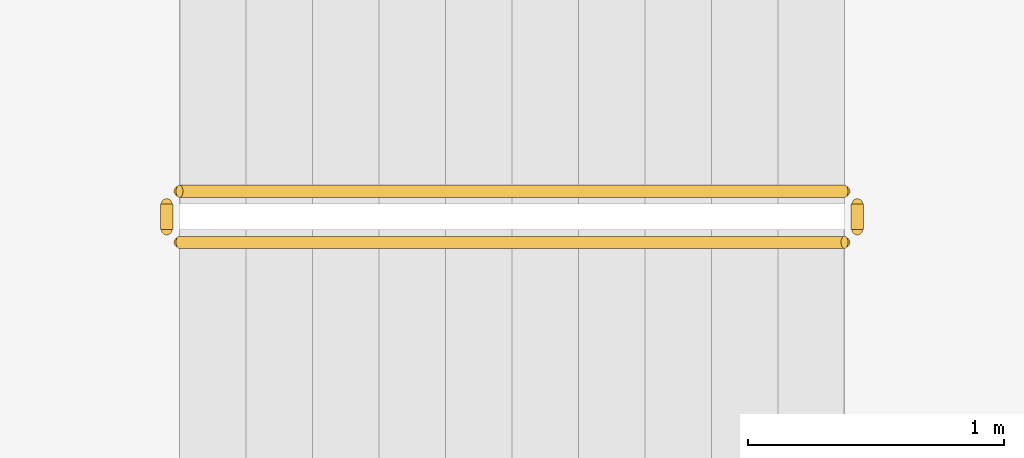
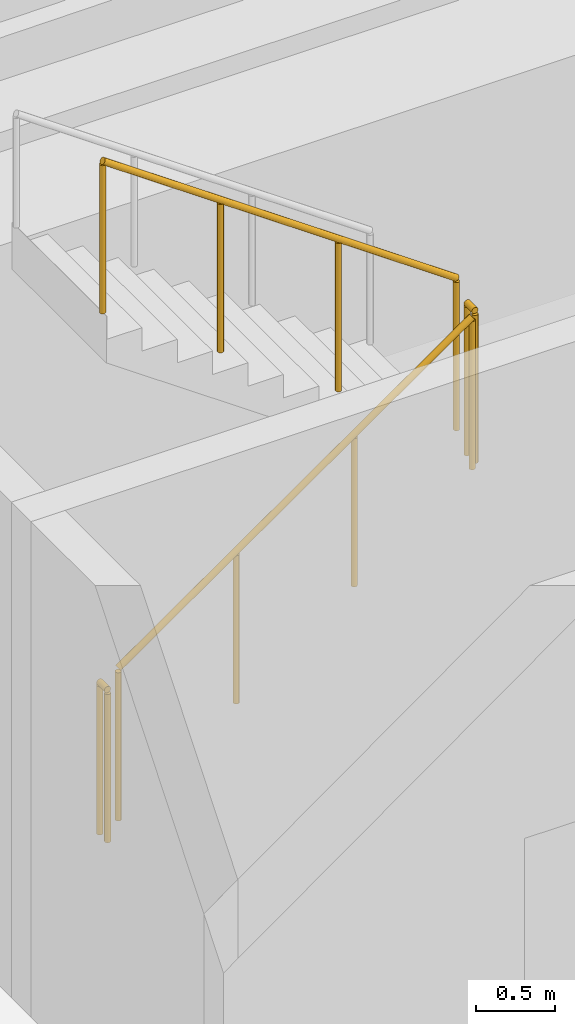
# One storey, part 19 of 23: 4 railings.
"""IFC4 building model written with IfcOpenShell, lengths in metres."""

from ifc_helpers import new_model, si_unit, direction, frame, origin, origin_2d, place, context, subcontext, project, spatial, circle, extrude, material, type_object, element, save


model = new_model("IFC4")

# Units and contexts
model_context = context("Model", 3, precision=1e-05, world=origin(), true_north=direction((0.0, 1.0)))
body_context = subcontext(model_context, "Body", "Model", "MODEL_VIEW")
ifc_project = project(units=[si_unit("LENGTHUNIT", "METRE"), si_unit("AREAUNIT", "SQUARE_METRE"), si_unit("VOLUMEUNIT", "CUBIC_METRE"), si_unit("PLANEANGLEUNIT", "RADIAN"), si_unit("MASSUNIT", "GRAM", prefix="KILO")], contexts=[model_context])

# Site, building, storey
site_placement = place(None, origin())
site = spatial("IfcSite", under=ifc_project, at=site_placement, CompositionType="ELEMENT")
building_placement = place(site_placement, origin())
building = spatial("IfcBuilding", under=site, at=building_placement, Name="Sahrelin Media Tower", CompositionType="ELEMENT")
storey_placement = place(building_placement, frame((0.0, 0.0, 173.60009765625)))
storey = spatial("IfcBuildingStorey", under=building, at=storey_placement, Name="L36", CompositionType="ELEMENT", Elevation=173.60009765625)

# Railings
ifc_material = material(Name="Steel S355", Category="steel")
railing_type = type_object("IfcRailingType", Name="Stair guard 1200", PredefinedType="GUARDRAIL", material=ifc_material)
railing_1_placement = place(storey_placement, frame((-7.675048828125, 5.25, 0.181640625)))
element("IfcRailing", 1, at=railing_1_placement, inside=storey, type_object=railing_type, Name="L36 ST1 stair guard 1", PredefinedType="GUARDRAIL", context=body_context, shape_type="SweptSolid", body=[
    extrude(circle(Radius=0.02392578125, at=origin_2d()), frame((0.0, 0.0, 1.17578125), z_axis=(0.819484887739, 0.0, 0.573100792852), x_axis=(0.0, 1.0, 0.0)), (0.0, 0.0, 1.0), 3.1728515625),
    extrude(circle(Radius=0.02099609375, at=origin_2d()), origin(), (0.0, 0.0, 1.0), 1.15185546875),
    extrude(circle(Radius=0.02099609375, at=origin_2d()), frame((0.86669921875, 0.0, 0.606201171875)), (0.0, 0.0, 1.0), 1.15185546875),
    extrude(circle(Radius=0.02099609375, at=origin_2d()), frame((1.7333984375, 0.0, 1.212158203125)), (0.0, 0.0, 1.0), 1.15185546875),
    extrude(circle(Radius=0.02099609375, at=origin_2d()), frame((2.60009765625, 0.0, 1.818359375)), (0.0, 0.0, 1.0), 1.15185546875),
])
railing_2_placement = place(storey_placement, frame((-5.02490234375, 5.300048828125, 2.0)))
element("IfcRailing", 2, at=railing_2_placement, inside=storey, type_object=railing_type, Name="L36 ST1 stair guard 2", PredefinedType="GUARDRAIL", context=body_context, shape_type="SweptSolid", body=[
    extrude(circle(Radius=0.02392578125, at=origin_2d()), frame((0.0, 0.0, 1.17578125), z_axis=(0.0, 1.0, 0.0), x_axis=(-1.0, 0.0, 0.0)), (0.0, 0.0, 1.0), 0.099853515625),
    extrude(circle(Radius=0.02099609375, at=origin_2d()), origin(), (0.0, 0.0, 1.0), 1.15185546875),
    extrude(circle(Radius=0.02099609375, at=origin_2d()), frame((0.0, 0.099853515625, 0.0)), (0.0, 0.0, 1.0), 1.15185546875),
])
railing_3_placement = place(storey_placement, frame((-5.074951171875, 5.449951171875, 2.181640625)))
element("IfcRailing", 3, at=railing_3_placement, inside=storey, type_object=railing_type, Name="L36 ST1 stair guard 3", PredefinedType="GUARDRAIL", context=body_context, shape_type="SweptSolid", body=[
    extrude(circle(Radius=0.02392578125, at=origin_2d()), frame((0.0, 0.0, 1.17578125), z_axis=(-0.819484887739, 0.0, 0.573100792852), x_axis=(0.0, -1.0, 0.0)), (0.0, 0.0, 1.0), 3.1728515625),
    extrude(circle(Radius=0.02099609375, at=origin_2d()), origin(), (0.0, 0.0, 1.0), 1.15185546875),
    extrude(circle(Radius=0.02099609375, at=origin_2d()), frame((-0.86669921875, 0.0, 0.606201171875)), (0.0, 0.0, 1.0), 1.15185546875),
    extrude(circle(Radius=0.02099609375, at=origin_2d()), frame((-1.7333984375, 0.0, 1.212158203125)), (0.0, 0.0, 1.0), 1.15185546875),
    extrude(circle(Radius=0.02099609375, at=origin_2d()), frame((-2.60009765625, 0.0, 1.818359375)), (0.0, 0.0, 1.0), 1.15185546875),
])
railing_4_placement = place(storey_placement, frame((-7.72509765625, 5.300048828125, 0.0)))
element("IfcRailing", 4, at=railing_4_placement, inside=storey, type_object=railing_type, Name="L36 ST1 stair guard 4", PredefinedType="GUARDRAIL", context=body_context, shape_type="SweptSolid", body=[
    extrude(circle(Radius=0.02392578125, at=origin_2d()), frame((0.0, 0.0, 1.17578125), z_axis=(0.0, 1.0, 0.0), x_axis=(-1.0, 0.0, 0.0)), (0.0, 0.0, 1.0), 0.099853515625),
    extrude(circle(Radius=0.02099609375, at=origin_2d()), origin(), (0.0, 0.0, 1.0), 1.15185546875),
    extrude(circle(Radius=0.02099609375, at=origin_2d()), frame((0.0, 0.099853515625, 0.0)), (0.0, 0.0, 1.0), 1.15185546875),
])

save(model, "model.ifc")
